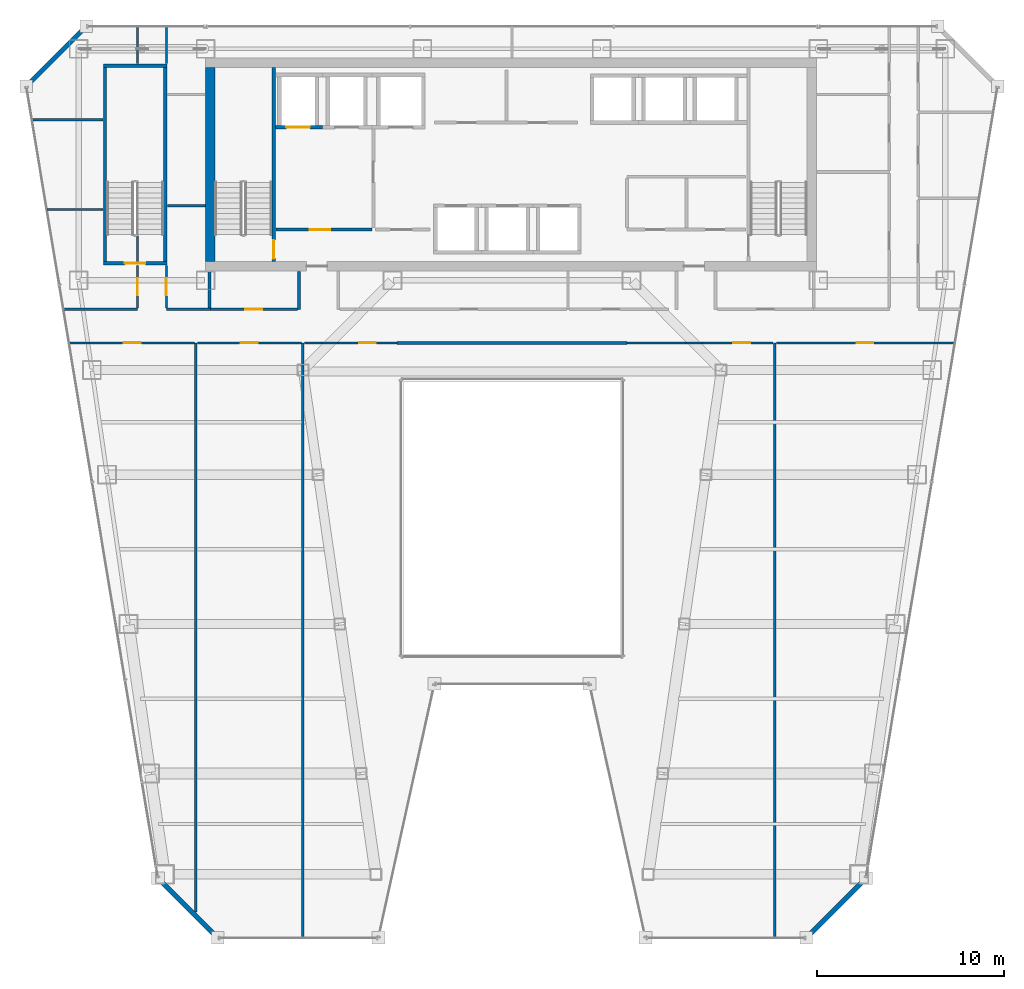
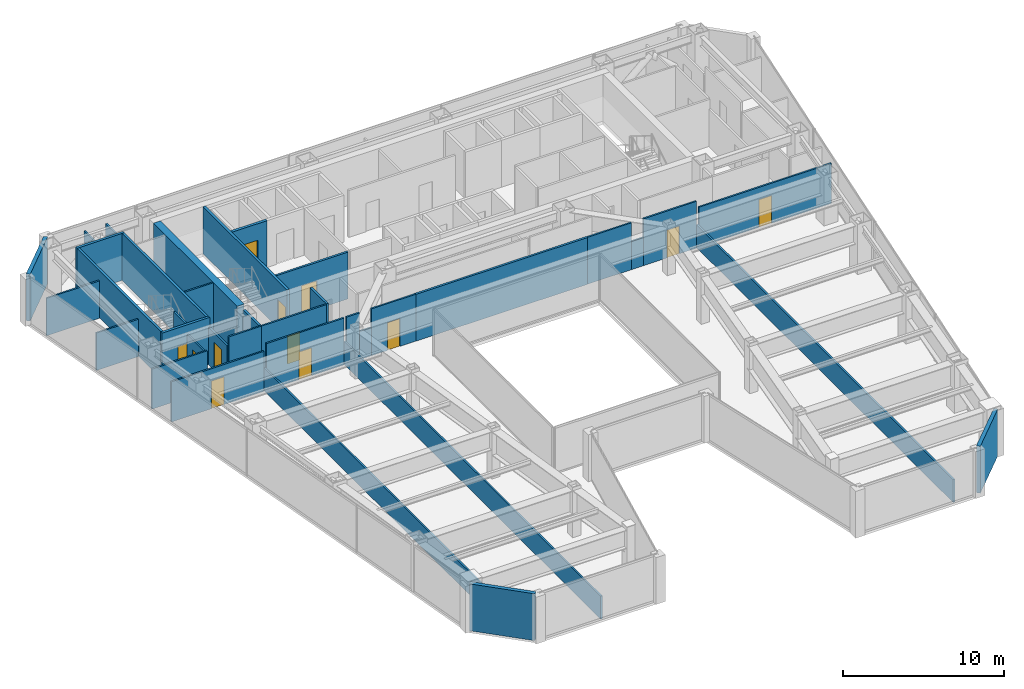
# One storey, part 31 of 37: 37 walls, 12 doors, 12 openings.
"""IFC4 building model written with IfcOpenShell, lengths in metres."""

from ifc_helpers import new_model, si_unit, direction, frame, frame_2d, origin, place, context, subcontext, project, spatial, rectangle, extrude, material, layer, layer_set, type_object, element, fill, save


model = new_model("IFC4")

# Units and contexts
model_context = context("Model", 3, precision=1e-05, world=origin(), true_north=direction((0.0, 1.0)))
body_context = subcontext(model_context, "Body", "Model", "MODEL_VIEW")
ifc_project = project(units=[si_unit("LENGTHUNIT", "METRE"), si_unit("AREAUNIT", "SQUARE_METRE"), si_unit("VOLUMEUNIT", "CUBIC_METRE"), si_unit("PLANEANGLEUNIT", "RADIAN"), si_unit("MASSUNIT", "GRAM", prefix="KILO")], contexts=[model_context])

# Site, building, storey
site_placement = place(None, origin())
site = spatial("IfcSite", under=ifc_project, at=site_placement, CompositionType="ELEMENT")
building_placement = place(site_placement, origin())
building = spatial("IfcBuilding", under=site, at=building_placement, Name="Saevonmaru Cultural Tower", CompositionType="ELEMENT")
storey_placement = place(building_placement, frame((0.0, 0.0, 163.800048828125)))
storey = spatial("IfcBuildingStorey", under=building, at=storey_placement, Name="L36", CompositionType="ELEMENT", Elevation=163.800048828125)

# Wall
ifc_material_1 = material(Name="Concrete C60/75", Category="concrete")
ifc_layer_1 = layer(ifc_material_1, 0.5, Name="Concrete C60/75")
ifc_layer_set_1 = layer_set([ifc_layer_1], Name="Concrete C60/75")
wall_type_1 = type_object("IfcWallType", Name="WL-CORE-500", PredefinedType="SHEAR", material=ifc_layer_set_1)
wall_1_placement = place(storey_placement, frame((13.85009765625, 43.39990234375, 0.0), z_axis=(0.0, 0.0, 1.0), x_axis=(0.0, 1.0, 0.0)))
element("IfcWall", 1, at=wall_1_placement, inside=storey, type_object=wall_type_1, Name="L36 Tower RC core shear wall W", PredefinedType="SHEAR", context=body_context, shape_type="SweptSolid", body=[
    extrude(rectangle(XDim=10.400146484375, YDim=0.5, at=frame_2d((5.2001953125, 0.0))), origin(), (0.0, 0.0, 1.0), 3.550048828125),
])

# Wall, opening, door
ifc_material_2 = material(Name="Gypsum Fireboard Partition", Category="gypsum")
ifc_layer_2 = layer(ifc_material_2, 0.14990234375, Name="Gypsum Fireboard Partition")
ifc_layer_set_2 = layer_set([ifc_layer_2], Name="Gypsum Fireboard Partition")
wall_type_2 = type_object("IfcWallType", Name="WL-CORE-PART-150", PredefinedType="PARTITIONING", material=ifc_layer_set_2)
wall_2_placement = place(storey_placement, frame((17.360107421875, 45.1201171875, 0.0), z_axis=(0.0, 0.0, 1.0), x_axis=(1.0, 0.0, 0.0)))
wall_2 = element("IfcWall", 2, at=wall_2_placement, inside=storey, type_object=wall_type_2, Name="L36 Firefighting Lift Lobby South Wall", PredefinedType="PARTITIONING", context=body_context, shape_type="SweptSolid", body=[
    extrude(rectangle(XDim=5.139892578125, YDim=0.14990234375, at=frame_2d((2.56982421875, 0.0))), origin(), (0.0, 0.0, 1.0), 3.550048828125),
])
opening_1_placement = place(wall_2_placement, frame((1.800048828125, 0.0, 0.0)))
opening_1 = element("IfcOpeningElement", 3, at=opening_1_placement, cuts=wall_2, Name="Opening FD-2", PredefinedType="OPENING", context=body_context, shape_type="SweptSolid", body=[
    extrude(rectangle(XDim=1.10009765625, YDim=2.14990234375, at=frame_2d((0.550048828125, 1.074951171875))), frame((0.0, 0.0849609375, 0.0), z_axis=(0.0, -1.0, 0.0), x_axis=(1.0, 0.0, 0.0)), (0.0, 0.0, 1.0), 0.169921875),
])
ifc_material_3 = material(Name="Satin Bronze Anodised Aluminium", Category="aluminium")
door_type_1 = type_object("IfcDoorType", Name="DR-FD60-1100", OperationType="SINGLE_SWING_LEFT", PredefinedType="DOOR", material=ifc_material_3)
door_1_placement = place(opening_1_placement, origin())
door_1 = element("IfcDoor", 4, at=door_1_placement, inside=storey, type_object=door_type_1, Name="L36 Firefighting Lift Lobby South Door", OperationType="SINGLE_SWING_LEFT", OverallHeight=2.14990234375, OverallWidth=1.10009765625, PredefinedType="DOOR", context=body_context, shape_type="SweptSolid", body=[
    extrude(rectangle(XDim=1.10009765625, YDim=2.14990234375, at=frame_2d((0.550048828125, 1.074951171875))), frame((0.0, 0.02490234375, 0.0), z_axis=(0.0, -1.0, 0.0), x_axis=(1.0, 0.0, 0.0)), (0.0, 0.0, 1.0), 0.050048828125),
])
fill(opening_1, door_1)

# Walls
ifc_material_4 = material(Name="Granite-Clad Precast Concrete C40/50", Category="masonry")
ifc_layer_3 = layer(ifc_material_4, 0.260009765625, Name="Granite-Clad Precast Concrete C40/50")
ifc_layer_set_3 = layer_set([ifc_layer_3], Name="Granite-Clad Precast Concrete C40/50")
wall_type_3 = type_object("IfcWallType", Name="WL-EXT-SPANDREL-260", PredefinedType="STANDARD", material=ifc_layer_set_3)
for number, where, z_axis, x_axis, name in (
    (5, (11.162109375, 10.286865234375, 0.0), (0.0, 0.0, 1.0), (0.70707775441, -0.707135806771, 0.0), "L36 Chamfer Corner Spandrel Wall E1"),
    (6, (45.8642578125, 7.31298828125, 0.0), (0.0, 0.0, 1.0), (0.70707775441, 0.707135806771, 0.0), "L36 Chamfer Corner Spandrel Wall E7"),
):
    element("IfcWall", number, at=place(storey_placement, frame(where, z_axis=z_axis, x_axis=x_axis)), inside=storey, type_object=wall_type_3, Name=name, PredefinedType="STANDARD", context=body_context, shape_type="SweptSolid", body=[
        extrude(rectangle(XDim=4.20556640625, YDim=0.260009765625, at=frame_2d((2.102783203125, 0.0))), origin(), (0.0, 0.0, 1.0), 3.550048828125),
    ])
wall_3_placement = place(storey_placement, frame((7.0869140625, 55.886962890625, 0.0), z_axis=(0.0, 0.0, 1.0), x_axis=(-0.707106781187, -0.707106781187, 0.0)))
element("IfcWall", 7, at=wall_3_placement, inside=storey, type_object=wall_type_3, Name="L36 Chamfer Corner Spandrel Wall E11", PredefinedType="STANDARD", context=body_context, shape_type="SweptSolid", body=[
    extrude(rectangle(XDim=4.205810546875, YDim=0.260009765625, at=frame_2d((2.10302734375, 0.0))), origin(), (0.0, 0.0, 1.0), 3.550048828125),
])
ifc_layer_4 = layer(ifc_material_2, 0.14990234375, Name="Gypsum Fireboard Partition")
ifc_layer_set_4 = layer_set([ifc_layer_4], Name="Gypsum Fireboard Partition")
wall_type_4 = type_object("IfcWallType", Name="WL-PART-FIRE-150", PredefinedType="PARTITIONING", material=ifc_layer_set_4)
wall_4_placement = place(storey_placement, frame((13.800048828125, 40.929931640625, 0.0), z_axis=(0.0, 0.0, 1.0), x_axis=(0.0, 1.0, 0.0)))
element("IfcWall", 8, at=wall_4_placement, inside=storey, type_object=wall_type_4, Name="L36 Core Portal Side Wall W0", PredefinedType="PARTITIONING", context=body_context, shape_type="SweptSolid", body=[
    extrude(rectangle(XDim=1.949951171875, YDim=0.14990234375, at=frame_2d((0.97509765625, 0.0))), origin(), (0.0, 0.0, 1.0), 3.550048828125),
])
wall_5_placement = place(storey_placement, frame((18.60009765625, 40.85009765625, 0.0), z_axis=(0.0, 0.0, 1.0), x_axis=(0.0, 1.0, 0.0)))
element("IfcWall", 9, at=wall_5_placement, inside=storey, type_object=wall_type_4, Name="L36 Core Portal Side Wall W1", PredefinedType="PARTITIONING", context=body_context, shape_type="SweptSolid", body=[
    extrude(rectangle(XDim=2.02978515625, YDim=0.14990234375, at=frame_2d((1.014892578125, 0.0))), origin(), (0.0, 0.0, 1.0), 3.550048828125),
])
wall_6_placement = place(storey_placement, frame((23.85009765625, 39.050048828125, 0.0), z_axis=(0.0, 0.0, 1.0), x_axis=(1.0, 0.0, 0.0)))
element("IfcWall", 10, at=wall_6_placement, inside=storey, type_object=wall_type_4, Name="L36 North Atrium Corridor Wall", PredefinedType="PARTITIONING", context=body_context, shape_type="SweptSolid", body=[
    extrude(rectangle(XDim=12.2998046875, YDim=0.14990234375, at=frame_2d((6.14990234375, 0.0))), origin(), (0.0, 0.0, 1.0), 3.550048828125),
])
ifc_layer_5 = layer(ifc_material_2, 0.1201171875, Name="Gypsum Fireboard Partition")
ifc_layer_set_5 = layer_set([ifc_layer_5], Name="Gypsum Fireboard Partition")
wall_type_5 = type_object("IfcWallType", Name="WL-PART-GYP-120", PredefinedType="PARTITIONING", material=ifc_layer_set_5)
wall_7_placement = place(storey_placement, frame((5.99169921875, 40.85009765625, 0.0), z_axis=(0.0, 0.0, 1.0), x_axis=(1.0, 0.0, 0.0)))
element("IfcWall", 11, at=wall_7_placement, inside=storey, type_object=wall_type_5, Name="L36 NW Wing South Wall", PredefinedType="PARTITIONING", context=body_context, shape_type="SweptSolid", body=[
    extrude(rectangle(XDim=3.958251953125, YDim=0.1201171875, at=frame_2d((1.97900390625, 0.0))), origin(), (0.0, 0.0, 1.0), 3.034912109375),
])
wall_8_placement = place(storey_placement, frame((11.5, 40.85009765625, 0.0), z_axis=(0.0, 0.0, 1.0), x_axis=(1.0, 0.0, 0.0)))
element("IfcWall", 12, at=wall_8_placement, inside=storey, type_object=wall_type_5, Name="L36 NW Inner South Wall", PredefinedType="PARTITIONING", context=body_context, shape_type="SweptSolid", body=[
    extrude(rectangle(XDim=2.35009765625, YDim=0.1201171875, at=frame_2d((1.175048828125, 0.0))), origin(), (0.0, 0.0, 1.0), 3.550048828125),
])
wall_9_placement = place(storey_placement, frame((11.5, 54.0, 0.0), z_axis=(0.0, 0.0, 1.0), x_axis=(0.0, 1.0, 0.0)))
element("IfcWall", 13, at=wall_9_placement, inside=storey, type_object=wall_type_5, Name="L36 Literature Seminar Meeting Room Corridor Wall", PredefinedType="PARTITIONING", context=body_context, shape_type="SweptSolid", body=[
    extrude(rectangle(XDim=1.9951171875, YDim=0.1201171875, at=frame_2d((0.99755859375, 0.0))), origin(), (0.0, 0.0, 1.0), 2.93505859375),
])
wall_10_placement = place(storey_placement, frame((5.102294921875, 46.199951171875, 0.0), z_axis=(0.0, 0.0, 1.0), x_axis=(1.0, 0.0, 0.0)))
element("IfcWall", 14, at=wall_10_placement, inside=storey, type_object=wall_type_5, Name="L36 NW Studio Divider 1", PredefinedType="PARTITIONING", context=body_context, shape_type="SweptSolid", body=[
    extrude(rectangle(XDim=2.997802734375, YDim=0.1201171875, at=frame_2d((1.4990234375, 0.0))), origin(), (0.0, 0.0, 1.0), 2.8349609375),
])
wall_11_placement = place(storey_placement, frame((4.30419921875, 51.0, 0.0), z_axis=(0.0, 0.0, 1.0), x_axis=(1.0, 0.0, 0.0)))
element("IfcWall", 15, at=wall_11_placement, inside=storey, type_object=wall_type_5, Name="L36 NW Studio Divider 2", PredefinedType="PARTITIONING", context=body_context, shape_type="SweptSolid", body=[
    extrude(rectangle(XDim=3.7958984375, YDim=0.1201171875, at=frame_2d((1.89794921875, 0.0))), origin(), (0.0, 0.0, 1.0), 2.8349609375),
])

# Wall, opening, door
wall_12_placement = place(storey_placement, frame((9.949951171875, 40.929931640625, 0.0), z_axis=(0.0, 0.0, 1.0), x_axis=(0.0, 1.0, 0.0)))
wall_12 = element("IfcWall", 16, at=wall_12_placement, inside=storey, type_object=wall_type_5, Name="L36 Translation Research Office Corridor Wall", PredefinedType="PARTITIONING", context=body_context, shape_type="SweptSolid", body=[
    extrude(rectangle(XDim=2.27001953125, YDim=0.1201171875, at=frame_2d((1.135009765625, 0.0))), origin(), (0.0, 0.0, 1.0), 2.8349609375),
])
opening_2_placement = place(wall_12_placement, frame((0.68505859375, 0.0, 0.0)))
opening_2 = element("IfcOpeningElement", 17, at=opening_2_placement, cuts=wall_12, Name="Opening ID-2", PredefinedType="OPENING", context=body_context, shape_type="SweptSolid", body=[
    extrude(rectangle(XDim=0.89990234375, YDim=2.10009765625, at=frame_2d((0.449951171875, 1.050048828125))), frame((0.0, 0.070068359375, 0.0), z_axis=(0.0, -1.0, 0.0), x_axis=(1.0, 0.0, 0.0)), (0.0, 0.0, 1.0), 0.14013671875),
])
ifc_material_5 = material(Name="Acoustic Stained Oak Timber", Category="wood")
door_type_2 = type_object("IfcDoorType", Name="DR-INT-900", OperationType="SINGLE_SWING_RIGHT", PredefinedType="DOOR", material=ifc_material_5)
door_2_placement = place(opening_2_placement, origin())
door_2 = element("IfcDoor", 18, at=door_2_placement, inside=storey, type_object=door_type_2, Name="L36 Translation Research Office Door", OperationType="SINGLE_SWING_LEFT", OverallHeight=2.10009765625, OverallWidth=0.89990234375, PredefinedType="DOOR", context=body_context, shape_type="SweptSolid", body=[
    extrude(rectangle(XDim=0.89990234375, YDim=2.10009765625, at=frame_2d((0.449951171875, 1.050048828125))), frame((0.0, 0.02490234375, 0.0), z_axis=(0.0, -1.0, 0.0), x_axis=(1.0, 0.0, 0.0)), (0.0, 0.0, 1.0), 0.050048828125),
])
fill(opening_2, door_2)

# Walls
wall_13_placement = place(storey_placement, frame((9.949951171875, 43.419921875, 0.0), z_axis=(0.0, 0.0, 1.0), x_axis=(0.0, 1.0, 0.0)))
element("IfcWall", 19, at=wall_13_placement, inside=storey, type_object=wall_type_5, Name="L36 Translation Research Office Corridor Wall (2)", PredefinedType="PARTITIONING", context=body_context, shape_type="SweptSolid", body=[
    extrude(rectangle(XDim=1.4501953125, YDim=0.1201171875, at=frame_2d((0.72509765625, 0.0))), origin(), (0.0, 0.0, 1.0), 3.550048828125),
])
wall_14_placement = place(storey_placement, frame((9.949951171875, 54.0, 0.0), z_axis=(0.0, 0.0, 1.0), x_axis=(0.0, 1.0, 0.0)))
element("IfcWall", 20, at=wall_14_placement, inside=storey, type_object=wall_type_5, Name="L36 Literature Seminar Meeting Room Corridor Wall", PredefinedType="PARTITIONING", context=body_context, shape_type="SweptSolid", body=[
    extrude(rectangle(XDim=1.9951171875, YDim=0.1201171875, at=frame_2d((0.99755859375, 0.0))), origin(), (0.0, 0.0, 1.0), 2.93505859375),
])
wall_15_placement = place(storey_placement, frame((11.550048828125, 46.39990234375, 0.0), z_axis=(0.0, 0.0, 1.0), x_axis=(1.0, 0.0, 0.0)))
element("IfcWall", 21, at=wall_15_placement, inside=storey, type_object=wall_type_5, Name="L36 NW Inner Divider", PredefinedType="PARTITIONING", context=body_context, shape_type="SweptSolid", body=[
    extrude(rectangle(XDim=2.030029296875, YDim=0.1201171875, at=frame_2d((1.01513671875, 0.0))), origin(), (0.0, 0.0, 1.0), 3.550048828125),
])

# Wall, opening, door
wall_16_placement = place(storey_placement, frame((11.5, 40.929931640625, 0.0), z_axis=(0.0, 0.0, 1.0), x_axis=(0.0, 1.0, 0.0)))
wall_16 = element("IfcWall", 22, at=wall_16_placement, inside=storey, type_object=wall_type_5, Name="L36 Architecture Residency Office Corridor Wall", PredefinedType="PARTITIONING", context=body_context, shape_type="SweptSolid", body=[
    extrude(rectangle(XDim=2.27001953125, YDim=0.1201171875, at=frame_2d((1.135009765625, 0.0))), origin(), (0.0, 0.0, 1.0), 2.8349609375),
])
opening_3_placement = place(wall_16_placement, frame((0.68505859375, 0.0, 0.0)))
opening_3 = element("IfcOpeningElement", 23, at=opening_3_placement, cuts=wall_16, Name="Opening ID-2", PredefinedType="OPENING", context=body_context, shape_type="SweptSolid", body=[
    extrude(rectangle(XDim=0.89990234375, YDim=2.10009765625, at=frame_2d((0.449951171875, 1.050048828125))), frame((0.0, 0.070068359375, 0.0), z_axis=(0.0, -1.0, 0.0), x_axis=(1.0, 0.0, 0.0)), (0.0, 0.0, 1.0), 0.14013671875),
])
door_3_placement = place(opening_3_placement, origin())
door_3 = element("IfcDoor", 24, at=door_3_placement, inside=storey, type_object=door_type_2, Name="L36 Architecture Residency Office Door", OperationType="SINGLE_SWING_RIGHT", OverallHeight=2.10009765625, OverallWidth=0.89990234375, PredefinedType="DOOR", context=body_context, shape_type="SweptSolid", body=[
    extrude(rectangle(XDim=0.89990234375, YDim=2.10009765625, at=frame_2d((0.449951171875, 1.050048828125))), frame((0.0, 0.02490234375, 0.0), z_axis=(0.0, -1.0, 0.0), x_axis=(1.0, 0.0, 0.0)), (0.0, 0.0, 1.0), 0.050048828125),
])
fill(opening_3, door_3)

wall_17_placement = place(storey_placement, frame((13.85009765625, 40.85009765625, 0.0), z_axis=(0.0, 0.0, 1.0), x_axis=(1.0, 0.0, 0.0)))
wall_17 = element("IfcWall", 25, at=wall_17_placement, inside=storey, type_object=wall_type_5, Name="L36 Translation Research Office Corridor Wall", PredefinedType="PARTITIONING", context=body_context, shape_type="SweptSolid", body=[
    extrude(rectangle(XDim=4.65478515625, YDim=0.1201171875, at=frame_2d((2.327392578125, 0.0))), origin(), (0.0, 0.0, 1.0), 3.550048828125),
])
opening_4_placement = place(wall_17_placement, frame((1.876953125, 0.0, 0.0)))
opening_4 = element("IfcOpeningElement", 26, at=opening_4_placement, cuts=wall_17, Name="Opening ID-2", PredefinedType="OPENING", context=body_context, shape_type="SweptSolid", body=[
    extrude(rectangle(XDim=0.89990234375, YDim=2.10009765625, at=frame_2d((0.449951171875, 1.050048828125))), frame((0.0, 0.070068359375, 0.0), z_axis=(0.0, -1.0, 0.0), x_axis=(1.0, 0.0, 0.0)), (0.0, 0.0, 1.0), 0.14013671875),
])
door_4_placement = place(opening_4_placement, origin())
door_4 = element("IfcDoor", 27, at=door_4_placement, inside=storey, type_object=door_type_2, Name="L36 Translation Research Office Door", OperationType="SINGLE_SWING_RIGHT", OverallHeight=2.10009765625, OverallWidth=0.89990234375, PredefinedType="DOOR", context=body_context, shape_type="SweptSolid", body=[
    extrude(rectangle(XDim=0.89990234375, YDim=2.10009765625, at=frame_2d((0.449951171875, 1.050048828125))), frame((0.0, 0.02490234375, 0.0), z_axis=(0.0, -1.0, 0.0), x_axis=(1.0, 0.0, 0.0)), (0.0, 0.0, 1.0), 0.050048828125),
])
fill(opening_4, door_4)

# Walls
wall_18_placement = place(storey_placement, frame((13.070068359375, 8.591064453125, 0.0), z_axis=(0.0, 0.0, 1.0), x_axis=(0.0, 1.0, 0.0)))
element("IfcWall", 28, at=wall_18_placement, inside=storey, type_object=wall_type_5, Name="L36 West Bay Divider 1", PredefinedType="PARTITIONING", context=body_context, shape_type="SweptSolid", body=[
    extrude(rectangle(XDim=30.458984375, YDim=0.1201171875, at=frame_2d((15.2294921875, 0.0))), origin(), (0.0, 0.0, 1.0), 1.73486328125),
])
wall_19_placement = place(storey_placement, frame((18.800048828125, 7.205078125, 0.0), z_axis=(0.0, 0.0, 1.0), x_axis=(0.0, 1.0, 0.0)))
element("IfcWall", 29, at=wall_19_placement, inside=storey, type_object=wall_type_5, Name="L36 West Bay Divider 2", PredefinedType="PARTITIONING", context=body_context, shape_type="SweptSolid", body=[
    extrude(rectangle(XDim=31.844970703125, YDim=0.1201171875, at=frame_2d((15.92236328125, 0.0))), origin(), (0.0, 0.0, 1.0), 1.73486328125),
])

# Wall, opening, door
wall_20_placement = place(storey_placement, frame((6.348388671875, 39.050048828125, 0.0), z_axis=(0.0, 0.0, 1.0), x_axis=(1.0, 0.0, 0.0)))
wall_20 = element("IfcWall", 30, at=wall_20_placement, inside=storey, type_object=wall_type_5, Name="L36 Translation Research Office Corridor Wall", PredefinedType="PARTITIONING", context=body_context, shape_type="SweptSolid", body=[
    extrude(rectangle(XDim=6.6416015625, YDim=0.1201171875, at=frame_2d((3.32080078125, 0.0))), origin(), (0.0, 0.0, 1.0), 3.034912109375),
])
opening_5_placement = place(wall_20_placement, frame((2.87109375, 0.0, 0.0)))
opening_5 = element("IfcOpeningElement", 31, at=opening_5_placement, cuts=wall_20, Name="Opening ID-2", PredefinedType="OPENING", context=body_context, shape_type="SweptSolid", body=[
    extrude(rectangle(XDim=0.89990234375, YDim=2.10009765625, at=frame_2d((0.449951171875, 1.050048828125))), frame((0.0, 0.070068359375, 0.0), z_axis=(0.0, -1.0, 0.0), x_axis=(1.0, 0.0, 0.0)), (0.0, 0.0, 1.0), 0.14013671875),
])
door_5_placement = place(opening_5_placement, origin())
door_5 = element("IfcDoor", 32, at=door_5_placement, inside=storey, type_object=door_type_2, Name="L36 Translation Research Office Door", OperationType="SINGLE_SWING_RIGHT", OverallHeight=2.10009765625, OverallWidth=0.89990234375, PredefinedType="DOOR", context=body_context, shape_type="SweptSolid", body=[
    extrude(rectangle(XDim=0.89990234375, YDim=2.10009765625, at=frame_2d((0.449951171875, 1.050048828125))), frame((0.0, 0.02490234375, 0.0), z_axis=(0.0, -1.0, 0.0), x_axis=(1.0, 0.0, 0.0)), (0.0, 0.0, 1.0), 0.050048828125),
])
fill(opening_5, door_5)

wall_21_placement = place(storey_placement, frame((13.14990234375, 39.050048828125, 0.0), z_axis=(0.0, 0.0, 1.0), x_axis=(1.0, 0.0, 0.0)))
wall_21 = element("IfcWall", 33, at=wall_21_placement, inside=storey, type_object=wall_type_5, Name="L36 Architecture Residency Office Corridor Wall", PredefinedType="PARTITIONING", context=body_context, shape_type="SweptSolid", body=[
    extrude(rectangle(XDim=5.570068359375, YDim=0.1201171875, at=frame_2d((2.78515625, 0.0))), origin(), (0.0, 0.0, 1.0), 3.550048828125),
])
opening_6_placement = place(wall_21_placement, frame((2.3349609375, 0.0, 0.0)))
opening_6 = element("IfcOpeningElement", 34, at=opening_6_placement, cuts=wall_21, Name="Opening ID-2", PredefinedType="OPENING", context=body_context, shape_type="SweptSolid", body=[
    extrude(rectangle(XDim=0.89990234375, YDim=2.10009765625, at=frame_2d((0.449951171875, 1.050048828125))), frame((0.0, 0.070068359375, 0.0), z_axis=(0.0, -1.0, 0.0), x_axis=(1.0, 0.0, 0.0)), (0.0, 0.0, 1.0), 0.14013671875),
])
door_6_placement = place(opening_6_placement, origin())
door_6 = element("IfcDoor", 35, at=door_6_placement, inside=storey, type_object=door_type_2, Name="L36 Architecture Residency Office Door", OperationType="SINGLE_SWING_LEFT", OverallHeight=2.10009765625, OverallWidth=0.89990234375, PredefinedType="DOOR", context=body_context, shape_type="SweptSolid", body=[
    extrude(rectangle(XDim=0.89990234375, YDim=2.10009765625, at=frame_2d((0.449951171875, 1.050048828125))), frame((0.0, 0.02490234375, 0.0), z_axis=(0.0, -1.0, 0.0), x_axis=(1.0, 0.0, 0.0)), (0.0, 0.0, 1.0), 0.050048828125),
])
fill(opening_6, door_6)

wall_22_placement = place(storey_placement, frame((20.6865234375, 39.050048828125, 0.0), z_axis=(0.0, 0.0, 1.0), x_axis=(1.0, 0.0, 0.0)))
wall_22 = element("IfcWall", 36, at=wall_22_placement, inside=storey, type_object=wall_type_5, Name="L36 Literature Seminar Meeting Room Corridor Wall", PredefinedType="PARTITIONING", context=body_context, shape_type="SweptSolid", body=[
    extrude(rectangle(XDim=3.16357421875, YDim=0.1201171875, at=frame_2d((1.581787109375, 0.0))), origin(), (0.0, 0.0, 1.0), 3.550048828125),
])
opening_7_placement = place(wall_22_placement, frame((1.132080078125, 0.0, 0.0)))
opening_7 = element("IfcOpeningElement", 37, at=opening_7_placement, cuts=wall_22, Name="Opening ID-2", PredefinedType="OPENING", context=body_context, shape_type="SweptSolid", body=[
    extrude(rectangle(XDim=0.89990234375, YDim=2.10009765625, at=frame_2d((0.449951171875, 1.050048828125))), frame((0.0, 0.070068359375, 0.0), z_axis=(0.0, -1.0, 0.0), x_axis=(1.0, 0.0, 0.0)), (0.0, 0.0, 1.0), 0.14013671875),
])
door_7_placement = place(opening_7_placement, origin())
door_7 = element("IfcDoor", 38, at=door_7_placement, inside=storey, type_object=door_type_2, Name="L36 Literature Seminar Meeting Room Door", OperationType="SINGLE_SWING_RIGHT", OverallHeight=2.10009765625, OverallWidth=0.89990234375, PredefinedType="DOOR", context=body_context, shape_type="SweptSolid", body=[
    extrude(rectangle(XDim=0.89990234375, YDim=2.10009765625, at=frame_2d((0.449951171875, 1.050048828125))), frame((0.0, 0.02490234375, 0.0), z_axis=(0.0, -1.0, 0.0), x_axis=(1.0, 0.0, 0.0)), (0.0, 0.0, 1.0), 0.050048828125),
])
fill(opening_7, door_7)

# Walls
wall_23_placement = place(storey_placement, frame((18.8798828125, 39.050048828125, 0.0), z_axis=(0.0, 0.0, 1.0), x_axis=(1.0, 0.0, 0.0)))
element("IfcWall", 39, at=wall_23_placement, inside=storey, type_object=wall_type_5, Name="L36 Literature Seminar Meeting Room Corridor Wall (2)", PredefinedType="PARTITIONING", context=body_context, shape_type="SweptSolid", body=[
    extrude(rectangle(XDim=0.94482421875, YDim=0.1201171875, at=frame_2d((0.472412109375, 0.0))), origin(), (0.0, 0.0, 1.0), 3.550048828125),
])
wall_24_placement = place(storey_placement, frame((19.82470703125, 39.050048828125, 0.0), z_axis=(0.0, 0.0, 1.0), x_axis=(1.0, 0.0, 0.0)))
element("IfcWall", 40, at=wall_24_placement, inside=storey, type_object=wall_type_5, Name="L36 Literature Seminar Meeting Room Corridor Wall (3)", PredefinedType="PARTITIONING", context=body_context, shape_type="SweptSolid", body=[
    extrude(rectangle(XDim=0.86181640625, YDim=0.1201171875, at=frame_2d((0.430908203125, 0.0))), origin(), (0.0, 0.0, 1.0), 2.135009765625),
])

# Wall, opening, door
wall_25_placement = place(storey_placement, frame((40.17529296875, 39.050048828125, 0.0), z_axis=(0.0, 0.0, 1.0), x_axis=(1.0, 0.0, 0.0)))
wall_25 = element("IfcWall", 41, at=wall_25_placement, inside=storey, type_object=wall_type_5, Name="L36 Literature Seminar Meeting Room Corridor Wall", PredefinedType="PARTITIONING", context=body_context, shape_type="SweptSolid", body=[
    extrude(rectangle(XDim=3.797119140625, YDim=0.1201171875, at=frame_2d((1.8984375, 0.0))), origin(), (0.0, 0.0, 1.0), 3.550048828125),
])
opening_8_placement = place(wall_25_placement, frame((1.6689453125, 0.0, 0.0)))
opening_8 = element("IfcOpeningElement", 42, at=opening_8_placement, cuts=wall_25, Name="Opening ID-2", PredefinedType="OPENING", context=body_context, shape_type="SweptSolid", body=[
    extrude(rectangle(XDim=0.89990234375, YDim=2.10009765625, at=frame_2d((0.449951171875, 1.050048828125))), frame((0.0, 0.070068359375, 0.0), z_axis=(0.0, -1.0, 0.0), x_axis=(1.0, 0.0, 0.0)), (0.0, 0.0, 1.0), 0.14013671875),
])
door_8_placement = place(opening_8_placement, origin())
door_8 = element("IfcDoor", 43, at=door_8_placement, inside=storey, type_object=door_type_2, Name="L36 Literature Seminar Meeting Room Door", OperationType="SINGLE_SWING_LEFT", OverallHeight=2.10009765625, OverallWidth=0.89990234375, PredefinedType="DOOR", context=body_context, shape_type="SweptSolid", body=[
    extrude(rectangle(XDim=0.89990234375, YDim=2.10009765625, at=frame_2d((0.449951171875, 1.050048828125))), frame((0.0, 0.02490234375, 0.0), z_axis=(0.0, -1.0, 0.0), x_axis=(1.0, 0.0, 0.0)), (0.0, 0.0, 1.0), 0.050048828125),
])
fill(opening_8, door_8)

# Walls
wall_26_placement = place(storey_placement, frame((36.14990234375, 39.050048828125, 0.0), z_axis=(0.0, 0.0, 1.0), x_axis=(1.0, 0.0, 0.0)))
element("IfcWall", 44, at=wall_26_placement, inside=storey, type_object=wall_type_5, Name="L36 Literature Seminar Meeting Room Corridor Wall (2)", PredefinedType="PARTITIONING", context=body_context, shape_type="SweptSolid", body=[
    extrude(rectangle(XDim=3.16357421875, YDim=0.1201171875, at=frame_2d((1.581787109375, 0.0))), origin(), (0.0, 0.0, 1.0), 3.550048828125),
])
wall_27_placement = place(storey_placement, frame((39.3134765625, 39.050048828125, 0.0), z_axis=(0.0, 0.0, 1.0), x_axis=(1.0, 0.0, 0.0)))
element("IfcWall", 45, at=wall_27_placement, inside=storey, type_object=wall_type_5, Name="L36 Literature Seminar Meeting Room Corridor Wall (3)", PredefinedType="PARTITIONING", context=body_context, shape_type="SweptSolid", body=[
    extrude(rectangle(XDim=0.86181640625, YDim=0.1201171875, at=frame_2d((0.430908203125, 0.0))), origin(), (0.0, 0.0, 1.0), 2.135009765625),
])

# Wall, opening, door
wall_28_placement = place(storey_placement, frame((44.1474609375, 39.050048828125, 0.0), z_axis=(0.0, 0.0, 1.0), x_axis=(1.0, 0.0, 0.0)))
wall_28 = element("IfcWall", 46, at=wall_28_placement, inside=storey, type_object=wall_type_5, Name="L36 Urban Design Meeting Room Corridor Wall", PredefinedType="PARTITIONING", context=body_context, shape_type="SweptSolid", body=[
    extrude(rectangle(XDim=9.504150390625, YDim=0.1201171875, at=frame_2d((4.751953125, 0.0))), origin(), (0.0, 0.0, 1.0), 3.034912109375),
])
opening_9_placement = place(wall_28_placement, frame((4.302001953125, 0.0, 0.0)))
opening_9 = element("IfcOpeningElement", 47, at=opening_9_placement, cuts=wall_28, Name="Opening ID-2", PredefinedType="OPENING", context=body_context, shape_type="SweptSolid", body=[
    extrude(rectangle(XDim=0.89990234375, YDim=2.10009765625, at=frame_2d((0.449951171875, 1.050048828125))), frame((0.0, 0.070068359375, 0.0), z_axis=(0.0, -1.0, 0.0), x_axis=(1.0, 0.0, 0.0)), (0.0, 0.0, 1.0), 0.14013671875),
])
door_9_placement = place(opening_9_placement, origin())
door_9 = element("IfcDoor", 48, at=door_9_placement, inside=storey, type_object=door_type_2, Name="L36 Urban Design Meeting Room Door", OperationType="SINGLE_SWING_RIGHT", OverallHeight=2.10009765625, OverallWidth=0.89990234375, PredefinedType="DOOR", context=body_context, shape_type="SweptSolid", body=[
    extrude(rectangle(XDim=0.89990234375, YDim=2.10009765625, at=frame_2d((0.449951171875, 1.050048828125))), frame((0.0, 0.02490234375, 0.0), z_axis=(0.0, -1.0, 0.0), x_axis=(1.0, 0.0, 0.0)), (0.0, 0.0, 1.0), 0.050048828125),
])
fill(opening_9, door_9)

# Wall
ifc_layer_6 = layer(ifc_material_2, 0.135009765625, Name="Gypsum Fireboard Partition")
ifc_layer_set_6 = layer_set([ifc_layer_6], Name="Gypsum Fireboard Partition")
wall_type_6 = type_object("IfcWallType", Name="WL-PART-GYP-135", PredefinedType="PARTITIONING", material=ifc_layer_set_6)
wall_29_placement = place(storey_placement, frame((44.06005859375, 7.205078125, 0.0), z_axis=(0.0, 0.0, 1.0), x_axis=(0.0, 1.0, 0.0)))
element("IfcWall", 49, at=wall_29_placement, inside=storey, type_object=wall_type_6, Name="L36 East Bay Divider 1", PredefinedType="PARTITIONING", context=body_context, shape_type="SweptSolid", body=[
    extrude(rectangle(XDim=31.844970703125, YDim=0.135009765625, at=frame_2d((15.92236328125, 0.0))), origin(), (0.0, 0.0, 1.0), 1.73486328125),
])

# Wall, opening, door
ifc_material_6 = material(Name="Concrete C40/50", Category="concrete")
ifc_layer_7 = layer(ifc_material_6, 0.199951171875, Name="Concrete C40/50")
ifc_layer_set_7 = layer_set([ifc_layer_7], Name="Concrete C40/50")
wall_type_7 = type_object("IfcWallType", Name="WL-SHAFT-200", PredefinedType="SHEAR", material=ifc_layer_set_7)
wall_30_placement = place(storey_placement, frame((17.330078125, 50.60009765625, 0.0), z_axis=(0.0, 0.0, 1.0), x_axis=(1.0, 0.0, 0.0)))
wall_30 = element("IfcWall", 50, at=wall_30_placement, inside=storey, type_object=wall_type_7, Name="L36 Lift FFL-1 Hoistway Wall S", PredefinedType="SHEAR", context=body_context, shape_type="SweptSolid", body=[
    extrude(rectangle(XDim=2.52001953125, YDim=0.199951171875, at=frame_2d((1.260009765625, 0.0))), origin(), (0.0, 0.0, 1.0), 3.550048828125),
])
opening_10_placement = place(wall_30_placement, frame((0.594970703125, 0.0, 0.0)))
opening_10 = element("IfcOpeningElement", 51, at=opening_10_placement, cuts=wall_30, Name="Opening LD-2", PredefinedType="OPENING", context=body_context, shape_type="SweptSolid", body=[
    extrude(rectangle(XDim=1.25, YDim=2.300048828125, at=frame_2d((0.625, 1.14990234375))), frame((0.0, 0.10986328125, 0.0), z_axis=(0.0, -1.0, 0.0), x_axis=(1.0, 0.0, 0.0)), (0.0, 0.0, 1.0), 0.219970703125),
])
ifc_material_7 = material(Name="Stainless Steel 316", Category="steel")
door_type_3 = type_object("IfcDoorType", Name="DR-LIFT-1250", OperationType="SLIDING_TO_LEFT", PredefinedType="DOOR", material=ifc_material_7)
door_10_placement = place(opening_10_placement, origin())
door_10 = element("IfcDoor", 52, at=door_10_placement, inside=storey, type_object=door_type_3, Name="L36 Lift FFL-1 Sliding Landing Door", OperationType="SLIDING_TO_LEFT", OverallHeight=2.300048828125, OverallWidth=1.25, PredefinedType="DOOR", context=body_context, shape_type="SweptSolid", body=[
    extrude(rectangle(XDim=1.25, YDim=2.300048828125, at=frame_2d((0.625, 1.14990234375))), frame((0.0, 0.02490234375, 0.0), z_axis=(0.0, -1.0, 0.0), x_axis=(1.0, 0.0, 0.0)), (0.0, 0.0, 1.0), 0.050048828125),
])
fill(opening_10, door_10)

ifc_layer_8 = layer(ifc_material_6, 0.179931640625, Name="Concrete C40/50")
ifc_layer_set_8 = layer_set([ifc_layer_8], Name="Concrete C40/50")
wall_type_8 = type_object("IfcWallType", Name="WL-STSHAFT-180", PredefinedType="SHEAR", material=ifc_layer_set_8)
wall_31_placement = place(storey_placement, frame((17.239990234375, 43.39990234375, 0.0), z_axis=(0.0, 0.0, 1.0), x_axis=(0.0, 1.0, 0.0)))
wall_31 = element("IfcWall", 53, at=wall_31_placement, inside=storey, type_object=wall_type_8, Name="L36 Stair ST-1 Structural Shaft Wall 1", PredefinedType="SHEAR", context=body_context, shape_type="SweptSolid", body=[
    extrude(rectangle(XDim=10.400146484375, YDim=0.179931640625, at=frame_2d((5.2001953125, 0.0))), origin(), (0.0, 0.0, 1.0), 3.550048828125),
])
opening_11_placement = place(wall_31_placement, frame((0.159912109375, 0.0, 0.0)))
opening_11 = element("IfcOpeningElement", 54, at=opening_11_placement, cuts=wall_31, Name="Opening FD-3", PredefinedType="OPENING", context=body_context, shape_type="SweptSolid", body=[
    extrude(rectangle(XDim=1.0, YDim=2.14990234375, at=frame_2d((0.5, 1.074951171875))), frame((0.0, 0.10009765625, 0.0), z_axis=(0.0, -1.0, 0.0), x_axis=(1.0, 0.0, 0.0)), (0.0, 0.0, 1.0), 0.199951171875),
])
door_type_4 = type_object("IfcDoorType", Name="DR-FD60-1000", OperationType="SINGLE_SWING_RIGHT", PredefinedType="DOOR", material=ifc_material_3)
door_11_placement = place(opening_11_placement, origin())
door_11 = element("IfcDoor", 55, at=door_11_placement, inside=storey, type_object=door_type_4, Name="L36 Protected Stair ST-1 Fire Door", OperationType="SINGLE_SWING_RIGHT", OverallHeight=2.14990234375, OverallWidth=1.0, PredefinedType="DOOR", context=body_context, shape_type="SweptSolid", body=[
    extrude(rectangle(XDim=1.0, YDim=2.14990234375, at=frame_2d((0.5, 1.074951171875))), frame((0.0, 0.02490234375, 0.0), z_axis=(0.0, -1.0, 0.0), x_axis=(1.0, 0.0, 0.0)), (0.0, 0.0, 1.0), 0.050048828125),
])
fill(opening_11, door_11)

wall_32_placement = place(storey_placement, frame((8.1201171875, 43.31005859375, 0.0), z_axis=(0.0, 0.0, 1.0), x_axis=(1.0, 0.0, 0.0)))
wall_32 = element("IfcWall", 56, at=wall_32_placement, inside=storey, type_object=wall_type_8, Name="L36 Stair ST-3 Structural Shaft Wall 1", PredefinedType="SHEAR", context=body_context, shape_type="SweptSolid", body=[
    extrude(rectangle(XDim=3.409912109375, YDim=0.179931640625, at=frame_2d((1.705078125, 0.0))), origin(), (0.0, 0.0, 1.0), 3.550048828125),
])
opening_12_placement = place(wall_32_placement, frame((1.14990234375, 0.0, 0.0)))
opening_12 = element("IfcOpeningElement", 57, at=opening_12_placement, cuts=wall_32, Name="Opening FD-2", PredefinedType="OPENING", context=body_context, shape_type="SweptSolid", body=[
    extrude(rectangle(XDim=1.10009765625, YDim=2.14990234375, at=frame_2d((0.550048828125, 1.074951171875))), frame((0.0, 0.10009765625, 0.0), z_axis=(0.0, -1.0, 0.0), x_axis=(1.0, 0.0, 0.0)), (0.0, 0.0, 1.0), 0.199951171875),
])
door_12_placement = place(opening_12_placement, origin())
door_12 = element("IfcDoor", 58, at=door_12_placement, inside=storey, type_object=door_type_1, Name="L36 Protected Stair ST-3 Fire Door", OperationType="SINGLE_SWING_LEFT", OverallHeight=2.14990234375, OverallWidth=1.10009765625, PredefinedType="DOOR", context=body_context, shape_type="SweptSolid", body=[
    extrude(rectangle(XDim=1.10009765625, YDim=2.14990234375, at=frame_2d((0.550048828125, 1.074951171875))), frame((0.0, 0.02490234375, 0.0), z_axis=(0.0, -1.0, 0.0), x_axis=(1.0, 0.0, 0.0)), (0.0, 0.0, 1.0), 0.050048828125),
])
fill(opening_12, door_12)

# Walls
wall_33_placement = place(storey_placement, frame((11.43994140625, 43.39990234375, 0.0), z_axis=(0.0, 0.0, 1.0), x_axis=(0.0, 1.0, 0.0)))
element("IfcWall", 59, at=wall_33_placement, inside=storey, type_object=wall_type_8, Name="L36 Stair ST-3 Structural Shaft Wall 2", PredefinedType="SHEAR", context=body_context, shape_type="SweptSolid", body=[
    extrude(rectangle(XDim=10.400146484375, YDim=0.179931640625, at=frame_2d((5.2001953125, 0.0))), origin(), (0.0, 0.0, 1.0), 3.550048828125),
])
wall_34_placement = place(storey_placement, frame((11.530029296875, 53.889892578125, 0.0), z_axis=(0.0, 0.0, 1.0), x_axis=(-1.0, 0.0, 0.0)))
element("IfcWall", 60, at=wall_34_placement, inside=storey, type_object=wall_type_8, Name="L36 Stair ST-3 Structural Shaft Wall 3", PredefinedType="SHEAR", context=body_context, shape_type="SweptSolid", body=[
    extrude(rectangle(XDim=3.409912109375, YDim=0.179931640625, at=frame_2d((1.705078125, 0.0))), origin(), (0.0, 0.0, 1.0), 3.550048828125),
])
wall_35_placement = place(storey_placement, frame((8.2099609375, 53.800048828125, 0.0), z_axis=(0.0, 0.0, 1.0), x_axis=(0.0, -1.0, 0.0)))
element("IfcWall", 61, at=wall_35_placement, inside=storey, type_object=wall_type_8, Name="L36 Stair ST-3 Structural Shaft Wall 4", PredefinedType="SHEAR", context=body_context, shape_type="SweptSolid", body=[
    extrude(rectangle(XDim=10.400146484375, YDim=0.179931640625, at=frame_2d((5.2001953125, 0.0))), origin(), (0.0, 0.0, 1.0), 3.550048828125),
])

save(model, "model.ifc")
